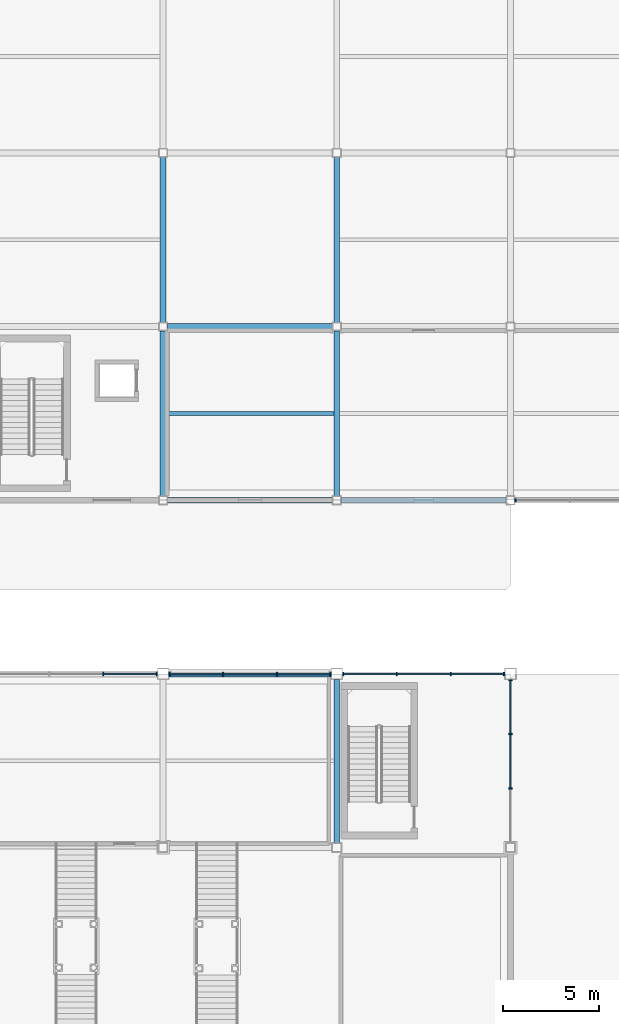
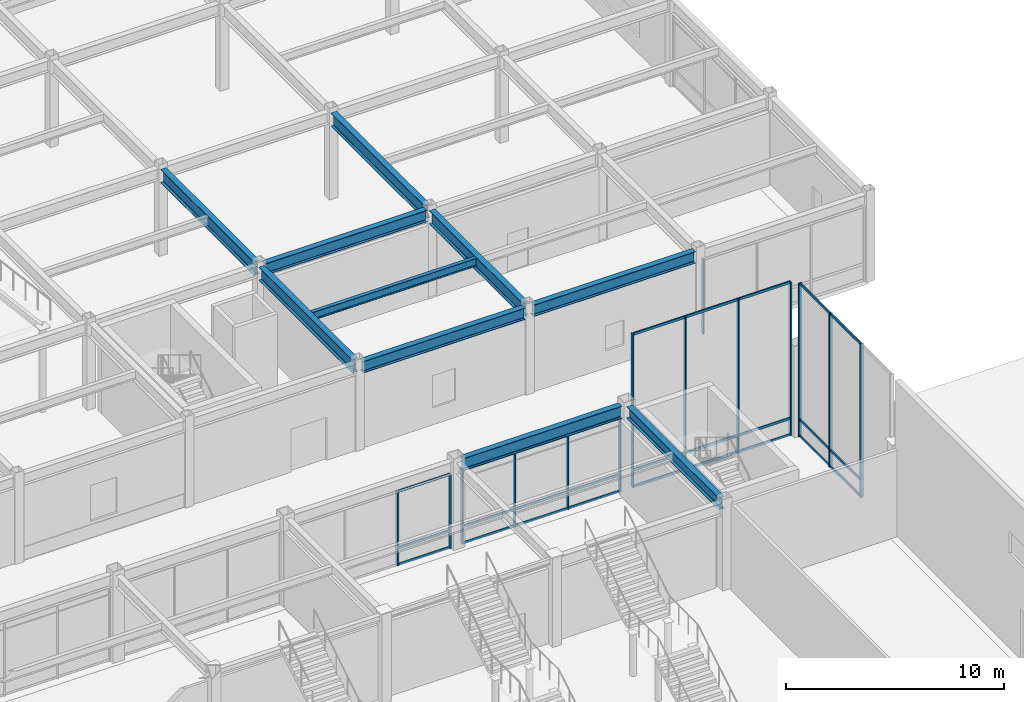
# One storey, part 49 of 123: 41 members, 10 beams, 5 elements without a shape of their own.
"""IFC4 building model written with IfcOpenShell, lengths in metres."""

from ifc_helpers import new_model, si_unit, direction, frame, origin, origin_2d, place, context, subcontext, project, spatial, rectangle, i_section, extrude, material, material_profile, profile_set, type_object, element, aggregate, save


model = new_model("IFC4")

# Units and contexts
model_context = context("Model", 3, precision=1e-05, world=origin(), true_north=direction((0.0, 1.0)))
body_context = subcontext(model_context, "Body", "Model", "MODEL_VIEW")
ifc_project = project(units=[si_unit("LENGTHUNIT", "METRE"), si_unit("AREAUNIT", "SQUARE_METRE"), si_unit("VOLUMEUNIT", "CUBIC_METRE"), si_unit("PLANEANGLEUNIT", "RADIAN"), si_unit("MASSUNIT", "GRAM", prefix="KILO")], contexts=[model_context])

# Site, building, storey
site_placement = place(None, origin())
site = spatial("IfcSite", under=ifc_project, at=site_placement, CompositionType="ELEMENT")
building_placement = place(site_placement, origin())
building = spatial("IfcBuilding", under=site, at=building_placement, Name="Suzunagisa Mobility Hub", CompositionType="ELEMENT")
storey_placement = place(building_placement, origin())
storey = spatial("IfcBuildingStorey", under=building, at=storey_placement, Name="L00", CompositionType="ELEMENT", Elevation=0.0)

# Curtain wall, members
ifc_material_1 = material(Name="Thermally Broken Anodized Aluminum and Low-E Glazing", Category="aluminium")
curtain_wall_type_1 = type_object("IfcCurtainWallType", Name="Unitised Curtain Wall CW-34 8500x8600", PredefinedType="USERDEFINED", material=ifc_material_1)
curtain_wall_1_placement = place(storey_placement, origin())
curtain_wall_1 = element("IfcCurtainWall", 1, at=curtain_wall_1_placement, inside=storey, type_object=curtain_wall_type_1, Name="L00 Unitised Curtain Wall CW-34", ObjectType="UNITISED CURTAIN WALL", PredefinedType="USERDEFINED")
ifc_material_2 = material(Name="Anodized Aluminum 6063-T6", Category="aluminium")
ifc_material_profile_1 = material_profile(ifc_material_2, rectangle(XDim=0.06494140625, YDim=0.139892578125, at=origin_2d()), Name="TRAN-65x140")
ifc_profile_set_1 = profile_set([ifc_material_profile_1], Name="Anodized Aluminum 6063-T6")
member_type_1 = type_object("IfcMemberType", Name="Curtain Wall Framing CM-01 TRAN-65x140", PredefinedType="USERDEFINED", material=ifc_profile_set_1)
member_1_placement = place(storey_placement, frame((117.0, 65.09716796875, 0.032470703125), z_axis=(0.0, 1.0, 0.0), x_axis=(-1.0, 0.0, 0.0)))
member_1 = element("IfcMember", 2, at=member_1_placement, type_object=member_type_1, Name="Curtain Wall Transom 34-T2.1", ObjectType="TRANSOM", PredefinedType="USERDEFINED", context=body_context, shape_type="SweptSolid", body=[
    extrude(rectangle(XDim=0.06494140625, YDim=0.139892578125, at=origin_2d()), origin(), (0.0, 0.0, 1.0), 2.755615234375),
])
member_2_placement = place(storey_placement, frame((117.0, 65.09716796875, 0.949951171875), z_axis=(0.0, 1.0, 0.0), x_axis=(-1.0, 0.0, 0.0)))
member_2 = element("IfcMember", 3, at=member_2_placement, type_object=member_type_1, Name="Curtain Wall Transom 34-T2.2", ObjectType="TRANSOM", PredefinedType="USERDEFINED", context=body_context, shape_type="SweptSolid", body=[
    extrude(rectangle(XDim=0.06494140625, YDim=0.139892578125, at=origin_2d()), origin(), (0.0, 0.0, 1.0), 2.755615234375),
])
member_3_placement = place(storey_placement, frame((117.0, 65.09716796875, 8.547607421875), z_axis=(0.0, 1.0, 0.0), x_axis=(-1.0, 0.0, 0.0)))
member_3 = element("IfcMember", 4, at=member_3_placement, type_object=member_type_1, Name="Curtain Wall Transom 34-T2.3", ObjectType="TRANSOM", PredefinedType="USERDEFINED", context=body_context, shape_type="SweptSolid", body=[
    extrude(rectangle(XDim=0.06494140625, YDim=0.139892578125, at=origin_2d()), origin(), (0.0, 0.0, 1.0), 2.755615234375),
])
member_4_placement = place(storey_placement, frame((117.0, 67.913818359375, 0.032470703125), z_axis=(0.0, 1.0, 0.0), x_axis=(-1.0, 0.0, 0.0)))
member_4 = element("IfcMember", 5, at=member_4_placement, type_object=member_type_1, Name="Curtain Wall Transom 34-T3.1", ObjectType="TRANSOM", PredefinedType="USERDEFINED", context=body_context, shape_type="SweptSolid", body=[
    extrude(rectangle(XDim=0.06494140625, YDim=0.139892578125, at=origin_2d()), origin(), (0.0, 0.0, 1.0), 2.72314453125),
])
member_5_placement = place(storey_placement, frame((117.0, 67.913818359375, 0.949951171875), z_axis=(0.0, 1.0, 0.0), x_axis=(-1.0, 0.0, 0.0)))
member_5 = element("IfcMember", 6, at=member_5_placement, type_object=member_type_1, Name="Curtain Wall Transom 34-T3.2", ObjectType="TRANSOM", PredefinedType="USERDEFINED", context=body_context, shape_type="SweptSolid", body=[
    extrude(rectangle(XDim=0.06494140625, YDim=0.139892578125, at=origin_2d()), origin(), (0.0, 0.0, 1.0), 2.72314453125),
])
member_6_placement = place(storey_placement, frame((117.0, 67.913818359375, 8.547607421875), z_axis=(0.0, 1.0, 0.0), x_axis=(-1.0, 0.0, 0.0)))
member_6 = element("IfcMember", 7, at=member_6_placement, type_object=member_type_1, Name="Curtain Wall Transom 34-T3.3", ObjectType="TRANSOM", PredefinedType="USERDEFINED", context=body_context, shape_type="SweptSolid", body=[
    extrude(rectangle(XDim=0.06494140625, YDim=0.139892578125, at=origin_2d()), origin(), (0.0, 0.0, 1.0), 2.72314453125),
])

curtain_wall_2_placement = place(storey_placement, origin())
curtain_wall_2 = element("IfcCurtainWall", 8, at=curtain_wall_2_placement, inside=storey, type_object=curtain_wall_type_1, Name="L00 Unitised Curtain Wall CW-35", ObjectType="UNITISED CURTAIN WALL", PredefinedType="USERDEFINED")
member_7_placement = place(storey_placement, frame((116.636962890625, 71.0, 0.032470703125), z_axis=(-1.0, 0.0, 0.0), x_axis=(0.0, -1.0, 0.0)))
member_7 = element("IfcMember", 9, at=member_7_placement, type_object=member_type_1, Name="Curtain Wall Transom 35-T1.1", ObjectType="TRANSOM", PredefinedType="USERDEFINED", context=body_context, shape_type="SweptSolid", body=[
    extrude(rectangle(XDim=0.06494140625, YDim=0.139892578125, at=origin_2d()), origin(), (0.0, 0.0, 1.0), 2.70654296875),
])
member_8_placement = place(storey_placement, frame((116.636962890625, 71.0, 0.949951171875), z_axis=(-1.0, 0.0, 0.0), x_axis=(0.0, -1.0, 0.0)))
member_8 = element("IfcMember", 10, at=member_8_placement, type_object=member_type_1, Name="Curtain Wall Transom 35-T1.2", ObjectType="TRANSOM", PredefinedType="USERDEFINED", context=body_context, shape_type="SweptSolid", body=[
    extrude(rectangle(XDim=0.06494140625, YDim=0.139892578125, at=origin_2d()), origin(), (0.0, 0.0, 1.0), 2.70654296875),
])
member_9_placement = place(storey_placement, frame((116.636962890625, 71.0, 8.547607421875), z_axis=(-1.0, 0.0, 0.0), x_axis=(0.0, -1.0, 0.0)))
member_9 = element("IfcMember", 11, at=member_9_placement, type_object=member_type_1, Name="Curtain Wall Transom 35-T1.3", ObjectType="TRANSOM", PredefinedType="USERDEFINED", context=body_context, shape_type="SweptSolid", body=[
    extrude(rectangle(XDim=0.06494140625, YDim=0.139892578125, at=origin_2d()), origin(), (0.0, 0.0, 1.0), 2.70654296875),
])
member_10_placement = place(storey_placement, frame((113.869384765625, 71.0, 0.032470703125), z_axis=(-1.0, 0.0, 0.0), x_axis=(0.0, -1.0, 0.0)))
member_10 = element("IfcMember", 12, at=member_10_placement, type_object=member_type_1, Name="Curtain Wall Transom 35-T2.1", ObjectType="TRANSOM", PredefinedType="USERDEFINED", context=body_context, shape_type="SweptSolid", body=[
    extrude(rectangle(XDim=0.06494140625, YDim=0.139892578125, at=origin_2d()), origin(), (0.0, 0.0, 1.0), 2.73876953125),
])
member_11_placement = place(storey_placement, frame((113.869384765625, 71.0, 0.949951171875), z_axis=(-1.0, 0.0, 0.0), x_axis=(0.0, -1.0, 0.0)))
member_11 = element("IfcMember", 13, at=member_11_placement, type_object=member_type_1, Name="Curtain Wall Transom 35-T2.2", ObjectType="TRANSOM", PredefinedType="USERDEFINED", context=body_context, shape_type="SweptSolid", body=[
    extrude(rectangle(XDim=0.06494140625, YDim=0.139892578125, at=origin_2d()), origin(), (0.0, 0.0, 1.0), 2.73876953125),
])
member_12_placement = place(storey_placement, frame((113.869384765625, 71.0, 8.547607421875), z_axis=(-1.0, 0.0, 0.0), x_axis=(0.0, -1.0, 0.0)))
member_12 = element("IfcMember", 14, at=member_12_placement, type_object=member_type_1, Name="Curtain Wall Transom 35-T2.3", ObjectType="TRANSOM", PredefinedType="USERDEFINED", context=body_context, shape_type="SweptSolid", body=[
    extrude(rectangle(XDim=0.06494140625, YDim=0.139892578125, at=origin_2d()), origin(), (0.0, 0.0, 1.0), 2.73876953125),
])
member_13_placement = place(storey_placement, frame((111.069580078125, 71.0, 0.032470703125), z_axis=(-1.0, 0.0, 0.0), x_axis=(0.0, -1.0, 0.0)))
member_13 = element("IfcMember", 15, at=member_13_placement, type_object=member_type_1, Name="Curtain Wall Transom 35-T3.1", ObjectType="TRANSOM", PredefinedType="USERDEFINED", context=body_context, shape_type="SweptSolid", body=[
    extrude(rectangle(XDim=0.06494140625, YDim=0.139892578125, at=origin_2d()), origin(), (0.0, 0.0, 1.0), 2.70654296875),
])
member_14_placement = place(storey_placement, frame((111.069580078125, 71.0, 0.949951171875), z_axis=(-1.0, 0.0, 0.0), x_axis=(0.0, -1.0, 0.0)))
member_14 = element("IfcMember", 16, at=member_14_placement, type_object=member_type_1, Name="Curtain Wall Transom 35-T3.2", ObjectType="TRANSOM", PredefinedType="USERDEFINED", context=body_context, shape_type="SweptSolid", body=[
    extrude(rectangle(XDim=0.06494140625, YDim=0.139892578125, at=origin_2d()), origin(), (0.0, 0.0, 1.0), 2.70654296875),
])
member_15_placement = place(storey_placement, frame((111.069580078125, 71.0, 8.547607421875), z_axis=(-1.0, 0.0, 0.0), x_axis=(0.0, -1.0, 0.0)))
member_15 = element("IfcMember", 17, at=member_15_placement, type_object=member_type_1, Name="Curtain Wall Transom 35-T3.3", ObjectType="TRANSOM", PredefinedType="USERDEFINED", context=body_context, shape_type="SweptSolid", body=[
    extrude(rectangle(XDim=0.06494140625, YDim=0.139892578125, at=origin_2d()), origin(), (0.0, 0.0, 1.0), 2.70654296875),
])

curtain_wall_type_2 = type_object("IfcCurtainWallType", Name="Unitised Curtain Wall CW-32 8500x4200", PredefinedType="USERDEFINED", material=ifc_material_1)
curtain_wall_3_placement = place(storey_placement, origin())
curtain_wall_3 = element("IfcCurtainWall", 18, at=curtain_wall_3_placement, inside=storey, type_object=curtain_wall_type_2, Name="L00 Unitised Curtain Wall CW-36", ObjectType="UNITISED CURTAIN WALL", PredefinedType="USERDEFINED")
member_16_placement = place(storey_placement, frame((107.636962890625, 71.0, 0.032470703125), z_axis=(-1.0, 0.0, 0.0), x_axis=(0.0, -1.0, 0.0)))
member_16 = element("IfcMember", 19, at=member_16_placement, type_object=member_type_1, Name="Curtain Wall Transom 36-T1.1", ObjectType="TRANSOM", PredefinedType="USERDEFINED", context=body_context, shape_type="SweptSolid", body=[
    extrude(rectangle(XDim=0.06494140625, YDim=0.139892578125, at=origin_2d()), origin(), (0.0, 0.0, 1.0), 2.70654296875),
])
member_17_placement = place(storey_placement, frame((107.636962890625, 71.0, 0.949951171875), z_axis=(-1.0, 0.0, 0.0), x_axis=(0.0, -1.0, 0.0)))
member_17 = element("IfcMember", 20, at=member_17_placement, type_object=member_type_1, Name="Curtain Wall Transom 36-T1.2", ObjectType="TRANSOM", PredefinedType="USERDEFINED", context=body_context, shape_type="SweptSolid", body=[
    extrude(rectangle(XDim=0.06494140625, YDim=0.139892578125, at=origin_2d()), origin(), (0.0, 0.0, 1.0), 2.70654296875),
])
member_18_placement = place(storey_placement, frame((107.636962890625, 71.0, 4.117431640625), z_axis=(-1.0, 0.0, 0.0), x_axis=(0.0, -1.0, 0.0)))
member_18 = element("IfcMember", 21, at=member_18_placement, type_object=member_type_1, Name="Curtain Wall Transom 36-T1.3", ObjectType="TRANSOM", PredefinedType="USERDEFINED", context=body_context, shape_type="SweptSolid", body=[
    extrude(rectangle(XDim=0.06494140625, YDim=0.139892578125, at=origin_2d()), origin(), (0.0, 0.0, 1.0), 2.70654296875),
])
member_19_placement = place(storey_placement, frame((104.869384765625, 71.0, 0.032470703125), z_axis=(-1.0, 0.0, 0.0), x_axis=(0.0, -1.0, 0.0)))
member_19 = element("IfcMember", 22, at=member_19_placement, type_object=member_type_1, Name="Curtain Wall Transom 36-T2.1", ObjectType="TRANSOM", PredefinedType="USERDEFINED", context=body_context, shape_type="SweptSolid", body=[
    extrude(rectangle(XDim=0.06494140625, YDim=0.139892578125, at=origin_2d()), origin(), (0.0, 0.0, 1.0), 2.73876953125),
])
member_20_placement = place(storey_placement, frame((104.869384765625, 71.0, 0.949951171875), z_axis=(-1.0, 0.0, 0.0), x_axis=(0.0, -1.0, 0.0)))
member_20 = element("IfcMember", 23, at=member_20_placement, type_object=member_type_1, Name="Curtain Wall Transom 36-T2.2", ObjectType="TRANSOM", PredefinedType="USERDEFINED", context=body_context, shape_type="SweptSolid", body=[
    extrude(rectangle(XDim=0.06494140625, YDim=0.139892578125, at=origin_2d()), origin(), (0.0, 0.0, 1.0), 2.73876953125),
])
member_21_placement = place(storey_placement, frame((104.869384765625, 71.0, 4.117431640625), z_axis=(-1.0, 0.0, 0.0), x_axis=(0.0, -1.0, 0.0)))
member_21 = element("IfcMember", 24, at=member_21_placement, type_object=member_type_1, Name="Curtain Wall Transom 36-T2.3", ObjectType="TRANSOM", PredefinedType="USERDEFINED", context=body_context, shape_type="SweptSolid", body=[
    extrude(rectangle(XDim=0.06494140625, YDim=0.139892578125, at=origin_2d()), origin(), (0.0, 0.0, 1.0), 2.73876953125),
])
member_22_placement = place(storey_placement, frame((102.069580078125, 71.0, 0.032470703125), z_axis=(-1.0, 0.0, 0.0), x_axis=(0.0, -1.0, 0.0)))
member_22 = element("IfcMember", 25, at=member_22_placement, type_object=member_type_1, Name="Curtain Wall Transom 36-T3.1", ObjectType="TRANSOM", PredefinedType="USERDEFINED", context=body_context, shape_type="SweptSolid", body=[
    extrude(rectangle(XDim=0.06494140625, YDim=0.139892578125, at=origin_2d()), origin(), (0.0, 0.0, 1.0), 2.70654296875),
])
member_23_placement = place(storey_placement, frame((102.069580078125, 71.0, 0.949951171875), z_axis=(-1.0, 0.0, 0.0), x_axis=(0.0, -1.0, 0.0)))
member_23 = element("IfcMember", 26, at=member_23_placement, type_object=member_type_1, Name="Curtain Wall Transom 36-T3.2", ObjectType="TRANSOM", PredefinedType="USERDEFINED", context=body_context, shape_type="SweptSolid", body=[
    extrude(rectangle(XDim=0.06494140625, YDim=0.139892578125, at=origin_2d()), origin(), (0.0, 0.0, 1.0), 2.70654296875),
])
member_24_placement = place(storey_placement, frame((102.069580078125, 71.0, 4.117431640625), z_axis=(-1.0, 0.0, 0.0), x_axis=(0.0, -1.0, 0.0)))
member_24 = element("IfcMember", 27, at=member_24_placement, type_object=member_type_1, Name="Curtain Wall Transom 36-T3.3", ObjectType="TRANSOM", PredefinedType="USERDEFINED", context=body_context, shape_type="SweptSolid", body=[
    extrude(rectangle(XDim=0.06494140625, YDim=0.139892578125, at=origin_2d()), origin(), (0.0, 0.0, 1.0), 2.70654296875),
])

curtain_wall_4_placement = place(storey_placement, origin())
curtain_wall_4 = element("IfcCurtainWall", 28, at=curtain_wall_4_placement, inside=storey, type_object=curtain_wall_type_2, Name="L00 Unitised Curtain Wall CW-37", ObjectType="UNITISED CURTAIN WALL", PredefinedType="USERDEFINED")
member_25_placement = place(storey_placement, frame((98.636962890625, 71.0, 0.032470703125), z_axis=(-1.0, 0.0, 0.0), x_axis=(0.0, -1.0, 0.0)))
member_25 = element("IfcMember", 29, at=member_25_placement, type_object=member_type_1, Name="Curtain Wall Transom 37-T1.1", ObjectType="TRANSOM", PredefinedType="USERDEFINED", context=body_context, shape_type="SweptSolid", body=[
    extrude(rectangle(XDim=0.06494140625, YDim=0.139892578125, at=origin_2d()), origin(), (0.0, 0.0, 1.0), 2.70654296875),
])
member_26_placement = place(storey_placement, frame((98.636962890625, 71.0, 0.949951171875), z_axis=(-1.0, 0.0, 0.0), x_axis=(0.0, -1.0, 0.0)))
member_26 = element("IfcMember", 30, at=member_26_placement, type_object=member_type_1, Name="Curtain Wall Transom 37-T1.2", ObjectType="TRANSOM", PredefinedType="USERDEFINED", context=body_context, shape_type="SweptSolid", body=[
    extrude(rectangle(XDim=0.06494140625, YDim=0.139892578125, at=origin_2d()), origin(), (0.0, 0.0, 1.0), 2.70654296875),
])
member_27_placement = place(storey_placement, frame((98.636962890625, 71.0, 4.117431640625), z_axis=(-1.0, 0.0, 0.0), x_axis=(0.0, -1.0, 0.0)))
member_27 = element("IfcMember", 31, at=member_27_placement, type_object=member_type_1, Name="Curtain Wall Transom 37-T1.3", ObjectType="TRANSOM", PredefinedType="USERDEFINED", context=body_context, shape_type="SweptSolid", body=[
    extrude(rectangle(XDim=0.06494140625, YDim=0.139892578125, at=origin_2d()), origin(), (0.0, 0.0, 1.0), 2.70654296875),
])

# Member
ifc_material_profile_2 = material_profile(ifc_material_2, rectangle(XDim=0.06494140625, YDim=0.179931640625, at=origin_2d()), Name="MULL-65x180")
ifc_profile_set_2 = profile_set([ifc_material_profile_2], Name="Anodized Aluminum 6063-T6")
member_type_2 = type_object("IfcMemberType", Name="Curtain Wall Framing CM-04 MULL-65x180", PredefinedType="MULLION", material=ifc_profile_set_2)
member_28_placement = place(storey_placement, frame((117.0, 65.066650390625, 0.0), z_axis=(0.0, 0.0, 1.0), x_axis=(0.0, 1.0, 0.0)))
member_28 = element("IfcMember", 32, at=member_28_placement, type_object=member_type_2, Name="Curtain Wall Mullion 34-M2", PredefinedType="MULLION", context=body_context, shape_type="SweptSolid", body=[
    extrude(rectangle(XDim=0.06494140625, YDim=0.179931640625, at=origin_2d()), origin(), (0.0, 0.0, 1.0), 8.580078125),
])

member_29_placement = place(storey_placement, frame((117.0, 67.88330078125, 0.0), z_axis=(0.0, 0.0, 1.0), x_axis=(0.0, 1.0, 0.0)))
member_29 = element("IfcMember", 33, at=member_29_placement, type_object=member_type_2, Name="Curtain Wall Mullion 34-M3", PredefinedType="MULLION", context=body_context, shape_type="SweptSolid", body=[
    extrude(rectangle(XDim=0.06494140625, YDim=0.179931640625, at=origin_2d()), origin(), (0.0, 0.0, 1.0), 8.580078125),
])

member_30_placement = place(storey_placement, frame((117.0, 70.66748046875, 0.0), z_axis=(0.0, 0.0, 1.0), x_axis=(0.0, 1.0, 0.0)))
member_30 = element("IfcMember", 34, at=member_30_placement, type_object=member_type_2, Name="Curtain Wall Mullion 34-M4", PredefinedType="MULLION", context=body_context, shape_type="SweptSolid", body=[
    extrude(rectangle(XDim=0.06494140625, YDim=0.179931640625, at=origin_2d()), origin(), (0.0, 0.0, 1.0), 8.580078125),
])

aggregate(curtain_wall_1, [member_28, member_29, member_30, member_1, member_2, member_3, member_4, member_5, member_6])

member_31_placement = place(storey_placement, frame((116.66748046875, 71.0, 0.0), z_axis=(0.0, 0.0, 1.0), x_axis=(-1.0, 0.0, 0.0)))
member_31 = element("IfcMember", 35, at=member_31_placement, type_object=member_type_2, Name="Curtain Wall Mullion 35-M1", PredefinedType="MULLION", context=body_context, shape_type="SweptSolid", body=[
    extrude(rectangle(XDim=0.06494140625, YDim=0.179931640625, at=origin_2d()), origin(), (0.0, 0.0, 1.0), 8.580078125),
])

member_32_placement = place(storey_placement, frame((113.89990234375, 71.0, 0.0), z_axis=(0.0, 0.0, 1.0), x_axis=(-1.0, 0.0, 0.0)))
member_32 = element("IfcMember", 36, at=member_32_placement, type_object=member_type_2, Name="Curtain Wall Mullion 35-M2", PredefinedType="MULLION", context=body_context, shape_type="SweptSolid", body=[
    extrude(rectangle(XDim=0.06494140625, YDim=0.179931640625, at=origin_2d()), origin(), (0.0, 0.0, 1.0), 8.580078125),
])

member_33_placement = place(storey_placement, frame((111.10009765625, 71.0, 0.0), z_axis=(0.0, 0.0, 1.0), x_axis=(-1.0, 0.0, 0.0)))
member_33 = element("IfcMember", 37, at=member_33_placement, type_object=member_type_2, Name="Curtain Wall Mullion 35-M3", PredefinedType="MULLION", context=body_context, shape_type="SweptSolid", body=[
    extrude(rectangle(XDim=0.06494140625, YDim=0.179931640625, at=origin_2d()), origin(), (0.0, 0.0, 1.0), 8.580078125),
])

member_34_placement = place(storey_placement, frame((108.33251953125, 71.0, 0.0), z_axis=(0.0, 0.0, 1.0), x_axis=(-1.0, 0.0, 0.0)))
member_34 = element("IfcMember", 38, at=member_34_placement, type_object=member_type_2, Name="Curtain Wall Mullion 35-M4", PredefinedType="MULLION", context=body_context, shape_type="SweptSolid", body=[
    extrude(rectangle(XDim=0.06494140625, YDim=0.179931640625, at=origin_2d()), origin(), (0.0, 0.0, 1.0), 8.580078125),
])

aggregate(curtain_wall_2, [member_31, member_32, member_33, member_34, member_7, member_8, member_9, member_10, member_11, member_12, member_13, member_14, member_15])

member_35_placement = place(storey_placement, frame((107.66748046875, 71.0, 0.0), z_axis=(0.0, 0.0, 1.0), x_axis=(-1.0, 0.0, 0.0)))
member_35 = element("IfcMember", 39, at=member_35_placement, type_object=member_type_2, Name="Curtain Wall Mullion 36-M1", PredefinedType="MULLION", context=body_context, shape_type="SweptSolid", body=[
    extrude(rectangle(XDim=0.06494140625, YDim=0.179931640625, at=origin_2d()), origin(), (0.0, 0.0, 1.0), 4.14990234375),
])

member_36_placement = place(storey_placement, frame((104.89990234375, 71.0, 0.0), z_axis=(0.0, 0.0, 1.0), x_axis=(-1.0, 0.0, 0.0)))
member_36 = element("IfcMember", 40, at=member_36_placement, type_object=member_type_2, Name="Curtain Wall Mullion 36-M2", PredefinedType="MULLION", context=body_context, shape_type="SweptSolid", body=[
    extrude(rectangle(XDim=0.06494140625, YDim=0.179931640625, at=origin_2d()), origin(), (0.0, 0.0, 1.0), 4.14990234375),
])

member_37_placement = place(storey_placement, frame((102.10009765625, 71.0, 0.0), z_axis=(0.0, 0.0, 1.0), x_axis=(-1.0, 0.0, 0.0)))
member_37 = element("IfcMember", 41, at=member_37_placement, type_object=member_type_2, Name="Curtain Wall Mullion 36-M3", PredefinedType="MULLION", context=body_context, shape_type="SweptSolid", body=[
    extrude(rectangle(XDim=0.06494140625, YDim=0.179931640625, at=origin_2d()), origin(), (0.0, 0.0, 1.0), 4.14990234375),
])

member_38_placement = place(storey_placement, frame((99.33251953125, 71.0, 0.0), z_axis=(0.0, 0.0, 1.0), x_axis=(-1.0, 0.0, 0.0)))
member_38 = element("IfcMember", 42, at=member_38_placement, type_object=member_type_2, Name="Curtain Wall Mullion 36-M4", PredefinedType="MULLION", context=body_context, shape_type="SweptSolid", body=[
    extrude(rectangle(XDim=0.06494140625, YDim=0.179931640625, at=origin_2d()), origin(), (0.0, 0.0, 1.0), 4.14990234375),
])

aggregate(curtain_wall_3, [member_35, member_36, member_37, member_38, member_16, member_17, member_18, member_19, member_20, member_21, member_22, member_23, member_24])

member_39_placement = place(storey_placement, frame((98.66748046875, 71.0, 0.0), z_axis=(0.0, 0.0, 1.0), x_axis=(-1.0, 0.0, 0.0)))
member_39 = element("IfcMember", 43, at=member_39_placement, type_object=member_type_2, Name="Curtain Wall Mullion 37-M1", PredefinedType="MULLION", context=body_context, shape_type="SweptSolid", body=[
    extrude(rectangle(XDim=0.06494140625, YDim=0.179931640625, at=origin_2d()), origin(), (0.0, 0.0, 1.0), 4.14990234375),
])

member_40_placement = place(storey_placement, frame((95.89990234375, 71.0, 0.0), z_axis=(0.0, 0.0, 1.0), x_axis=(-1.0, 0.0, 0.0)))
member_40 = element("IfcMember", 44, at=member_40_placement, type_object=member_type_2, Name="Curtain Wall Mullion 37-M2", PredefinedType="MULLION", context=body_context, shape_type="SweptSolid", body=[
    extrude(rectangle(XDim=0.06494140625, YDim=0.179931640625, at=origin_2d()), origin(), (0.0, 0.0, 1.0), 4.14990234375),
])

aggregate(curtain_wall_4, [member_39, member_40, member_25, member_26, member_27])

# Curtain wall, member
curtain_wall_5_placement = place(storey_placement, origin())
curtain_wall_5 = element("IfcCurtainWall", 45, at=curtain_wall_5_placement, inside=storey, type_object=curtain_wall_type_2, Name="L00 Unitised Curtain Wall CW-92", ObjectType="UNITISED CURTAIN WALL", PredefinedType="USERDEFINED")
member_41_placement = place(storey_placement, frame((117.257568359375, 80.0, 0.0), z_axis=(0.0, 0.0, 1.0), x_axis=(1.0, 0.0, 0.0)))
member_41 = element("IfcMember", 46, at=member_41_placement, type_object=member_type_2, Name="Curtain Wall Mullion 92-M1", PredefinedType="MULLION", context=body_context, shape_type="SweptSolid", body=[
    extrude(rectangle(XDim=0.06494140625, YDim=0.179931640625, at=origin_2d()), origin(), (0.0, 0.0, 1.0), 4.18994140625),
])
aggregate(curtain_wall_5, [member_41])

# Beams
ifc_material_3 = material(Name="Steel SN400B", Category="steel")
ifc_material_profile_3 = material_profile(ifc_material_3, i_section(OverallWidth=0.199951171875, OverallDepth=0.449951171875, WebThickness=0.009033203125, FlangeThickness=0.013916015625, FilletRadius=0.012939453125, at=origin_2d()), Name="H-450x200x9x14")
ifc_profile_set_3 = profile_set([ifc_material_profile_3], Name="Steel SN400B")
beam_type_1 = type_object("IfcBeamType", Name="Steel Beam BM-05 H-450x200x9x14", PredefinedType="JOIST", material=ifc_profile_set_3)
beam_1_placement = place(storey_placement, frame((99.14990234375, 84.5, 4.614990234375), z_axis=(1.0, 0.0, 0.0), x_axis=(0.0, 1.0, 0.0)))
element("IfcBeam", 47, at=beam_1_placement, inside=storey, type_object=beam_type_1, Name="L00 Composite Floor Joist J-793", PredefinedType="JOIST", context=body_context, shape_type="SweptSolid", body=[
    extrude(i_section(OverallWidth=0.199951171875, OverallDepth=0.449951171875, WebThickness=0.009033203125, FlangeThickness=0.013916015625, FilletRadius=0.012939453125, at=origin_2d()), origin(), (0.0, 0.0, 1.0), 8.7001953125),
])
ifc_material_4 = material(Name="Steel SN490B", Category="steel")
ifc_material_profile_4 = material_profile(ifc_material_4, i_section(OverallWidth=0.300048828125, OverallDepth=0.64990234375, WebThickness=0.012939453125, FlangeThickness=0.02197265625, FilletRadius=0.01611328125, at=origin_2d()), Name="H-650x300x13x22")
ifc_profile_set_4 = profile_set([ifc_material_profile_4], Name="Steel SN490B")
beam_type_2 = type_object("IfcBeamType", Name="Steel Beam BM-10 H-650x300x13x22", PredefinedType="BEAM", material=ifc_profile_set_4)
beam_2_placement = place(storey_placement, frame((108.0, 62.24609375, 4.52490234375), z_axis=(0.0, 1.0, 0.0), x_axis=(-1.0, 0.0, 0.0)))
element("IfcBeam", 48, at=beam_2_placement, inside=storey, type_object=beam_type_2, Name="L00 Primary Girder GY-406", PredefinedType="BEAM", context=body_context, shape_type="SweptSolid", body=[
    extrude(i_section(OverallWidth=0.300048828125, OverallDepth=0.64990234375, WebThickness=0.012939453125, FlangeThickness=0.02197265625, FilletRadius=0.01611328125, at=origin_2d()), origin(), (0.0, 0.0, 1.0), 8.4580078125),
])
for number, where, z_axis, x_axis, name in (
    (49, (99.220947265625, 80.0, 4.514892578125), (1.0, 0.0, 0.0), (0.0, 1.0, 0.0), "L00 Primary Girder GX-708"),
    (50, (108.220947265625, 80.0, 4.514892578125), (1.0, 0.0, 0.0), (0.0, 1.0, 0.0), "L00 Primary Girder GX-709"),
    (51, (99.220947265625, 89.0, 4.514892578125), (1.0, 0.0, 0.0), (0.0, 1.0, 0.0), "L00 Primary Girder GX-717"),
):
    element("IfcBeam", number, at=place(storey_placement, frame(where, z_axis=z_axis, x_axis=x_axis)), inside=storey, type_object=beam_type_2, Name=name, PredefinedType="BEAM", context=body_context, shape_type="SweptSolid", body=[
        extrude(i_section(OverallWidth=0.300048828125, OverallDepth=0.64990234375, WebThickness=0.012939453125, FlangeThickness=0.02197265625, FilletRadius=0.01611328125, at=origin_2d()), origin(), (0.0, 0.0, 1.0), 8.55810546875),
    ])
ifc_material_profile_5 = material_profile(ifc_material_4, i_section(OverallWidth=0.300048828125, OverallDepth=0.699951171875, WebThickness=0.012939453125, FlangeThickness=0.02392578125, FilletRadius=0.01806640625, at=origin_2d()), Name="H-700x300x13x24")
ifc_profile_set_5 = profile_set([ifc_material_profile_5], Name="Steel SN490B")
beam_type_3 = type_object("IfcBeamType", Name="Steel Beam BM-11 H-700x300x13x24", PredefinedType="BEAM", material=ifc_profile_set_5)
beam_3_placement = place(storey_placement, frame((99.2958984375, 71.0, 4.5), z_axis=(1.0, 0.0, 0.0), x_axis=(0.0, 1.0, 0.0)))
element("IfcBeam", 52, at=beam_3_placement, inside=storey, type_object=beam_type_3, Name="L00 Primary Girder GX-399", PredefinedType="BEAM", context=body_context, shape_type="SweptSolid", body=[
    extrude(i_section(OverallWidth=0.300048828125, OverallDepth=0.699951171875, WebThickness=0.012939453125, FlangeThickness=0.02392578125, FilletRadius=0.01806640625, at=origin_2d()), origin(), (0.0, 0.0, 1.0), 8.408203125),
])
ifc_material_profile_6 = material_profile(ifc_material_4, i_section(OverallWidth=0.300048828125, OverallDepth=0.75, WebThickness=0.013916015625, FlangeThickness=0.02587890625, FilletRadius=0.01806640625, at=origin_2d()), Name="H-750x300x14x26")
ifc_profile_set_6 = profile_set([ifc_material_profile_6], Name="Steel SN490B")
beam_type_4 = type_object("IfcBeamType", Name="Steel Beam BM-15 H-750x300x14x26", PredefinedType="BEAM", material=ifc_profile_set_6)
for number, where, z_axis, x_axis, name in (
    (53, (99.0, 80.220947265625, 4.465087890625), (0.0, 1.0, 0.0), (-1.0, 0.0, 0.0), "L00 Primary Girder GY-763"),
    (54, (99.0, 89.220947265625, 4.465087890625), (0.0, 1.0, 0.0), (-1.0, 0.0, 0.0), "L00 Primary Girder GY-764"),
    (55, (108.0, 80.220947265625, 4.465087890625), (0.0, 1.0, 0.0), (-1.0, 0.0, 0.0), "L00 Primary Girder GY-767"),
    (56, (108.0, 89.220947265625, 4.465087890625), (0.0, 1.0, 0.0), (-1.0, 0.0, 0.0), "L00 Primary Girder GY-768"),
):
    element("IfcBeam", number, at=place(storey_placement, frame(where, z_axis=z_axis, x_axis=x_axis)), inside=storey, type_object=beam_type_4, Name=name, PredefinedType="BEAM", context=body_context, shape_type="SweptSolid", body=[
        extrude(i_section(OverallWidth=0.300048828125, OverallDepth=0.75, WebThickness=0.013916015625, FlangeThickness=0.02587890625, FilletRadius=0.01806640625, at=origin_2d()), origin(), (0.0, 0.0, 1.0), 8.55810546875),
    ])

save(model, "model.ifc")
